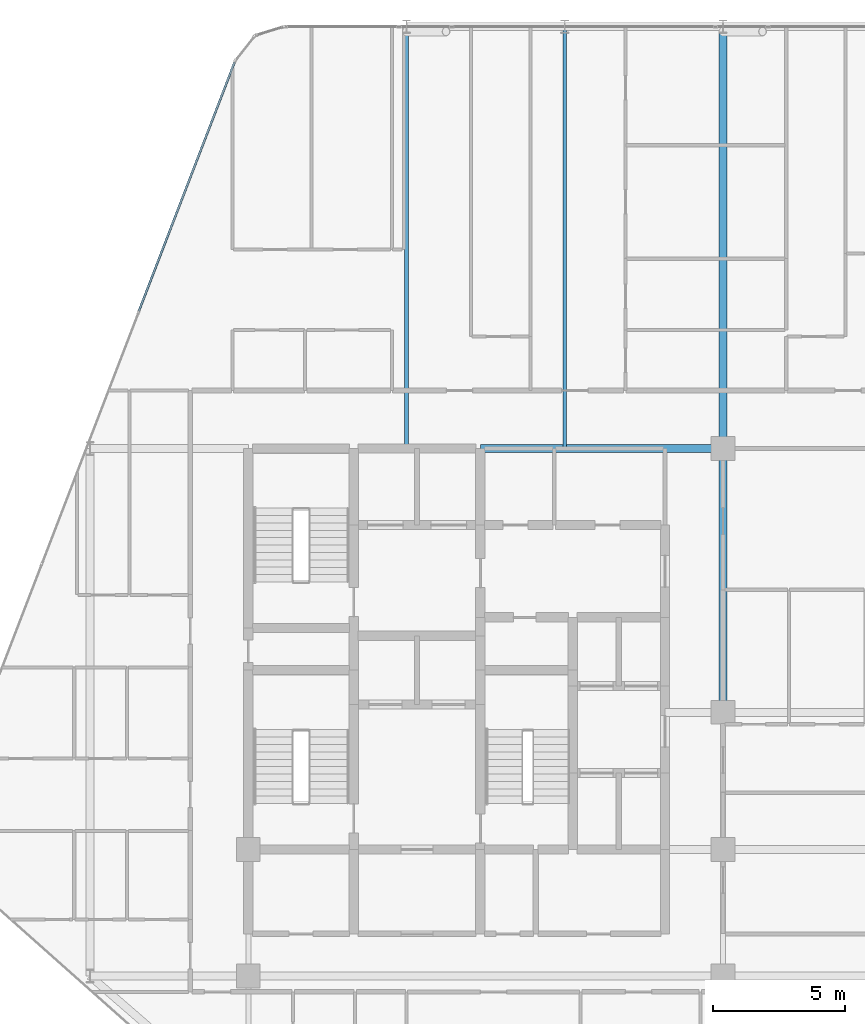
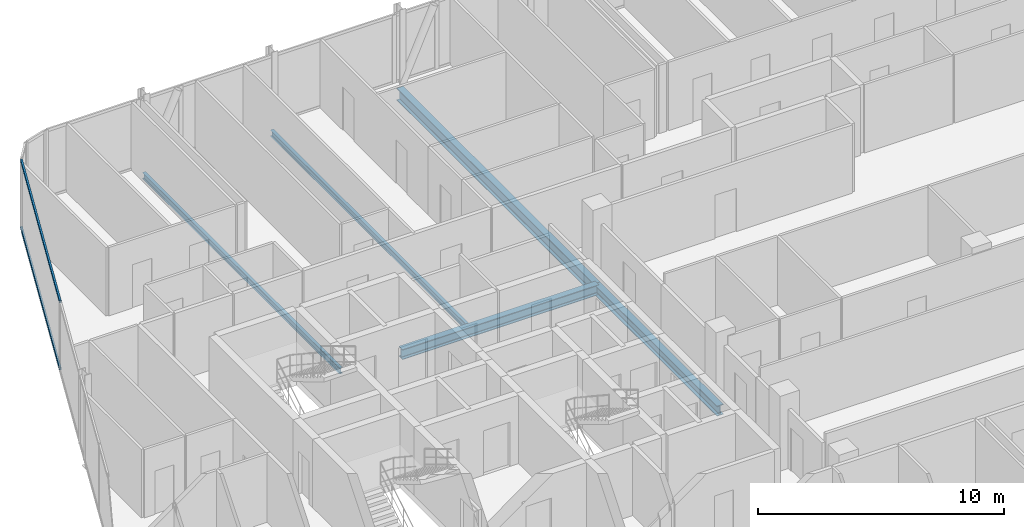
# One storey, part 16 of 31: 5 beams, 2 members, 1 element without a shape of its own.
"""IFC4 building model written with IfcOpenShell, lengths in metres."""

from ifc_helpers import new_model, si_unit, direction, frame, origin, origin_2d, place, context, subcontext, project, spatial, hollow_rectangle, i_section, extrude, material, layer, layer_set, material_profile, profile_set, type_object, element, aggregate, save


model = new_model("IFC4")

# Units and contexts
model_context = context("Model", 3, precision=1e-05, world=origin(), true_north=direction((0.0, 1.0)))
body_context = subcontext(model_context, "Body", "Model", "MODEL_VIEW")
ifc_project = project(units=[si_unit("LENGTHUNIT", "METRE"), si_unit("AREAUNIT", "SQUARE_METRE"), si_unit("VOLUMEUNIT", "CUBIC_METRE"), si_unit("PLANEANGLEUNIT", "RADIAN"), si_unit("MASSUNIT", "GRAM", prefix="KILO")], contexts=[model_context])

# Site, building, storey
site_placement = place(None, origin())
site = spatial("IfcSite", under=ifc_project, at=site_placement, CompositionType="ELEMENT")
building_placement = place(site_placement, origin())
building = spatial("IfcBuilding", under=site, at=building_placement, Name="Keshet Zoharim Tower", CompositionType="ELEMENT")
storey_placement = place(building_placement, frame((0.0, 0.0, 129.800048828125)))
storey = spatial("IfcBuildingStorey", under=building, at=storey_placement, Name="L31", CompositionType="ELEMENT", Elevation=129.800048828125)

# Beams
ifc_material_1 = material(Name="Steel S355", Category="steel")
ifc_material_profile_1 = material_profile(ifc_material_1, i_section(OverallWidth=0.14990234375, OverallDepth=0.300048828125, WebThickness=0.007080078125, FlangeThickness=0.0107421875, FilletRadius=0.014892578125, at=origin_2d()), Name="IPE300")
ifc_profile_set_1 = profile_set([ifc_material_profile_1], Name="Steel S355")
beam_type_1 = type_object("IfcBeamType", Name="BM-JST-IP300", PredefinedType="JOIST", material=ifc_profile_set_1)
for number, where, z_axis, x_axis, name in (
    (1, (21.0, 37.89990234375, -0.465087890625), (0.0, 1.0, 0.0), (-1.0, 0.0, 0.0), "L31 Secondary Floor Joist J-001"),
    (2, (27.0, 37.89990234375, -0.465087890625), (0.0, 1.0, 0.0), (-1.0, 0.0, 0.0), "L31 Secondary Floor Joist J-002"),
):
    element("IfcBeam", number, at=place(storey_placement, frame(where, z_axis=z_axis, x_axis=x_axis)), inside=storey, type_object=beam_type_1, Name=name, PredefinedType="JOIST", context=body_context, shape_type="SweptSolid", body=[
        extrude(i_section(OverallWidth=0.14990234375, OverallDepth=0.300048828125, WebThickness=0.007080078125, FlangeThickness=0.0107421875, FilletRadius=0.014892578125, at=origin_2d()), origin(), (0.0, 0.0, 1.0), 16.0),
    ])
ifc_material_profile_2 = material_profile(ifc_material_1, i_section(OverallWidth=0.300048828125, OverallDepth=0.60009765625, WebThickness=0.015380859375, FlangeThickness=0.030029296875, FilletRadius=0.027099609375, at=origin_2d()), Name="HEB600")
ifc_profile_set_2 = profile_set([ifc_material_profile_2], Name="Steel S355")
beam_type_2 = type_object("IfcBeamType", Name="BM-LNG-HB600", PredefinedType="BEAM", material=ifc_profile_set_2)
beam_1_placement = place(storey_placement, frame((33.0, 37.89990234375, -0.614990234375), z_axis=(0.0, 1.0, 0.0), x_axis=(-1.0, 0.0, 0.0)))
element("IfcBeam", 3, at=beam_1_placement, inside=storey, type_object=beam_type_2, Name="L31 Primary Girder Y-011", PredefinedType="BEAM", context=body_context, shape_type="SweptSolid", body=[
    extrude(i_section(OverallWidth=0.300048828125, OverallDepth=0.60009765625, WebThickness=0.015380859375, FlangeThickness=0.030029296875, FilletRadius=0.027099609375, at=origin_2d()), origin(), (0.0, 0.0, 1.0), 16.0),
])
ifc_material_profile_3 = material_profile(ifc_material_1, i_section(OverallWidth=0.300048828125, OverallDepth=0.5, WebThickness=0.014404296875, FlangeThickness=0.028076171875, FilletRadius=0.027099609375, at=origin_2d()), Name="HEB500")
ifc_profile_set_3 = profile_set([ifc_material_profile_3], Name="Steel S355")
beam_type_3 = type_object("IfcBeamType", Name="BM-MED-HB500", PredefinedType="BEAM", material=ifc_profile_set_3)
beam_2_placement = place(storey_placement, frame((23.800048828125, 37.89990234375, -0.56494140625), z_axis=(1.0, 0.0, 0.0), x_axis=(0.0, 1.0, 0.0)))
element("IfcBeam", 4, at=beam_2_placement, inside=storey, type_object=beam_type_3, Name="L31 Primary Girder X-019", PredefinedType="BEAM", context=body_context, shape_type="SweptSolid", body=[
    extrude(i_section(OverallWidth=0.300048828125, OverallDepth=0.5, WebThickness=0.014404296875, FlangeThickness=0.028076171875, FilletRadius=0.027099609375, at=origin_2d()), origin(), (0.0, 0.0, 1.0), 9.199951171875),
])
beam_3_placement = place(storey_placement, frame((33.0, 27.89990234375, -0.56494140625), z_axis=(0.0, 1.0, 0.0), x_axis=(-1.0, 0.0, 0.0)))
element("IfcBeam", 5, at=beam_3_placement, inside=storey, type_object=beam_type_3, Name="L31 Primary Girder Y-010", PredefinedType="BEAM", context=body_context, shape_type="SweptSolid", body=[
    extrude(i_section(OverallWidth=0.300048828125, OverallDepth=0.5, WebThickness=0.014404296875, FlangeThickness=0.028076171875, FilletRadius=0.027099609375, at=origin_2d()), origin(), (0.0, 0.0, 1.0), 10.0),
])

# Curtain wall, members
ifc_material_2 = material(Name="Aluminium 6063-T6", Category="aluminium")
ifc_layer = layer(ifc_material_2, 0.159912109375)
ifc_layer_set = layer_set([ifc_layer], Name="Aluminium 6063-T6")
curtain_wall_type = type_object("IfcCurtainWallType", Name="CW-SYS-03", PredefinedType="NOTDEFINED", material=ifc_layer_set)
curtain_wall_placement = place(storey_placement, origin())
curtain_wall = element("IfcCurtainWall", 6, at=curtain_wall_placement, inside=storey, type_object=curtain_wall_type, Name="L31 Unitised Curtain Wall 10", PredefinedType="NOTDEFINED")
ifc_material_profile_4 = material_profile(ifc_material_2, hollow_rectangle(XDim=0.080078125, YDim=0.139892578125, WallThickness=0.00390625, at=origin_2d()), Name="TRN-80x140")
ifc_profile_set_4 = profile_set([ifc_material_profile_4], Name="Aluminium 6063-T6")
member_type = type_object("IfcMemberType", Name="CWT-T14", PredefinedType="USERDEFINED", material=ifc_profile_set_4)
member_1_placement = place(storey_placement, frame((10.849609375, 43.10888671875, 0.034912109375), z_axis=(0.358985546764, 0.933343118694, 0.0), x_axis=(-0.933343118694, 0.358985546764, 0.0)))
member_1 = element("IfcMember", 7, at=member_1_placement, type_object=member_type, Name="CW-03 transom 3.1", ObjectType="TRANSOM", PredefinedType="USERDEFINED", context=body_context, shape_type="SweptSolid", body=[
    extrude(hollow_rectangle(XDim=0.080078125, YDim=0.139892578125, WallThickness=0.00390625, at=origin_2d()), origin(), (0.0, 0.0, 1.0), 10.118408203125),
])
member_2_placement = place(storey_placement, frame((10.849609375, 43.10888671875, 3.349853515625), z_axis=(0.358985546764, 0.933343118694, 0.0), x_axis=(-0.933343118694, 0.358985546764, 0.0)))
member_2 = element("IfcMember", 8, at=member_2_placement, type_object=member_type, Name="CW-03 transom 3.2", ObjectType="TRANSOM", PredefinedType="USERDEFINED", context=body_context, shape_type="SweptSolid", body=[
    extrude(hollow_rectangle(XDim=0.080078125, YDim=0.139892578125, WallThickness=0.00390625, at=origin_2d()), origin(), (0.0, 0.0, 1.0), 10.118408203125),
])
aggregate(curtain_wall, [member_1, member_2])

save(model, "model.ifc")
